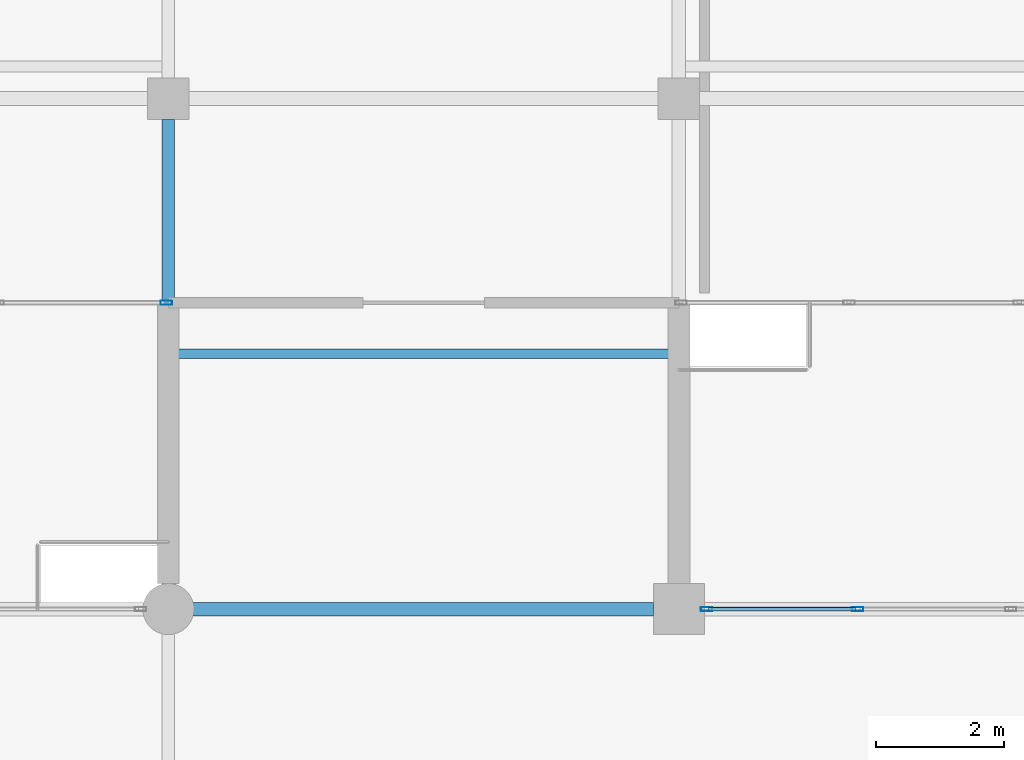
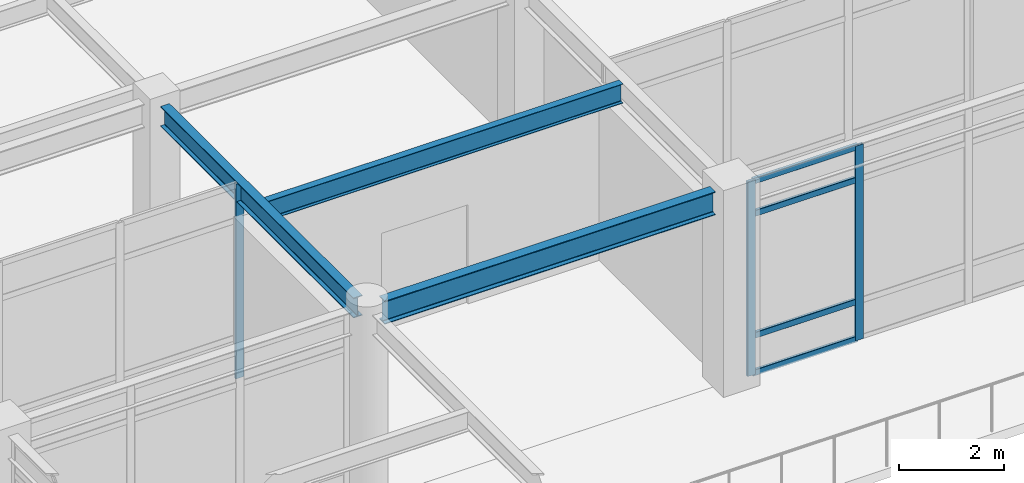
# One storey, part 53 of 117: 7 members, 3 beams, 2 elements without a shape of their own.
"""IFC4 building model written with IfcOpenShell, lengths in metres."""

from ifc_helpers import new_model, si_unit, direction, frame, origin, origin_2d, place, context, subcontext, project, spatial, hollow_rectangle, i_section, extrude, material, material_profile, profile_set, type_object, element, aggregate, save


model = new_model("IFC4")

# Units and contexts
model_context = context("Model", 3, precision=1e-05, world=origin(), true_north=direction((0.0, 1.0)))
body_context = subcontext(model_context, "Body", "Model", "MODEL_VIEW")
ifc_project = project(units=[si_unit("LENGTHUNIT", "METRE"), si_unit("AREAUNIT", "SQUARE_METRE"), si_unit("VOLUMEUNIT", "CUBIC_METRE"), si_unit("PLANEANGLEUNIT", "RADIAN"), si_unit("MASSUNIT", "GRAM", prefix="KILO")], contexts=[model_context])

# Site, building, storey
site_placement = place(None, origin())
site = spatial("IfcSite", under=ifc_project, at=site_placement, CompositionType="ELEMENT")
building_placement = place(site_placement, origin())
building = spatial("IfcBuilding", under=site, at=building_placement, Name="Solmirada Galleria", CompositionType="ELEMENT")
storey_placement = place(building_placement, frame((0.0, 0.0, 5.60009765625)))
storey = spatial("IfcBuildingStorey", under=building, at=storey_placement, Name="L01", CompositionType="ELEMENT", Elevation=5.60009765625)

# Beams
ifc_material_1 = material(Name="Steel S355 / ASTM A992 Grade 50", Category="steel")
ifc_material_profile_1 = material_profile(ifc_material_1, i_section(OverallWidth=0.194091796875, OverallDepth=0.468994140625, WebThickness=0.0126953125, FlangeThickness=0.0205078125, FilletRadius=0.013916015625, at=origin_2d()), Name="W18X71")
ifc_profile_set_1 = profile_set([ifc_material_profile_1], Name="Steel S355 / ASTM A992 Grade 50")
beam_type_1 = type_object("IfcBeamType", Name="BM-GIRD-W18B", PredefinedType="BEAM", material=ifc_profile_set_1)
beam_1_placement = place(storey_placement, frame((88.0, 72.3359375, 4.325439453125), z_axis=(0.0, 1.0, 0.0), x_axis=(-1.0, 0.0, 0.0)))
element("IfcBeam", 1, at=beam_1_placement, inside=storey, type_object=beam_type_1, Name="Primary girder L02 Y(88, 72..80)", PredefinedType="BEAM", context=body_context, shape_type="SweptSolid", body=[
    extrude(i_section(OverallWidth=0.194091796875, OverallDepth=0.468994140625, WebThickness=0.0126953125, FlangeThickness=0.0205078125, FilletRadius=0.013916015625, at=origin_2d()), origin(), (0.0, 0.0, 1.0), 7.339111328125),
])
ifc_material_profile_2 = material_profile(ifc_material_1, i_section(OverallWidth=0.2099609375, OverallDepth=0.537109375, WebThickness=0.010986328125, FlangeThickness=0.017333984375, FilletRadius=0.014892578125, at=origin_2d()), Name="W21X68")
ifc_profile_set_2 = profile_set([ifc_material_profile_2], Name="Steel S355 / ASTM A992 Grade 50")
beam_type_2 = type_object("IfcBeamType", Name="BM-GIRD-W21B", PredefinedType="BEAM", material=ifc_profile_set_2)
beam_2_placement = place(storey_placement, frame((88.3359375, 72.0, 4.331298828125), z_axis=(1.0, 0.0, 0.0), x_axis=(0.0, 1.0, 0.0)))
element("IfcBeam", 2, at=beam_2_placement, inside=storey, type_object=beam_type_2, Name="Primary beam L02 X(88..96, 72)", PredefinedType="BEAM", context=body_context, shape_type="SweptSolid", body=[
    extrude(i_section(OverallWidth=0.2099609375, OverallDepth=0.537109375, WebThickness=0.010986328125, FlangeThickness=0.017333984375, FilletRadius=0.014892578125, at=origin_2d()), origin(), (0.0, 0.0, 1.0), 7.26416015625),
])
ifc_material_profile_3 = material_profile(ifc_material_1, i_section(OverallWidth=0.152099609375, OverallDepth=0.449951171875, WebThickness=0.007568359375, FlangeThickness=0.0107421875, FilletRadius=0.011962890625, at=origin_2d()), Name="W18X35")
ifc_profile_set_3 = profile_set([ifc_material_profile_3], Name="Steel S355 / ASTM A992 Grade 50")
beam_type_3 = type_object("IfcBeamType", Name="BM-JST-W18B", PredefinedType="JOIST", material=ifc_profile_set_3)
beam_3_placement = place(storey_placement, frame((88.096923828125, 76.0, 4.3349609375), z_axis=(1.0, 0.0, 0.0), x_axis=(0.0, 1.0, 0.0)))
element("IfcBeam", 3, at=beam_3_placement, inside=storey, type_object=beam_type_3, Name="Composite floor joist L02 (88..96, 76.0)", PredefinedType="JOIST", context=body_context, shape_type="SweptSolid", body=[
    extrude(i_section(OverallWidth=0.152099609375, OverallDepth=0.449951171875, WebThickness=0.007568359375, FlangeThickness=0.0107421875, FilletRadius=0.011962890625, at=origin_2d()), origin(), (0.0, 0.0, 1.0), 7.798095703125),
])

# Curtain wall, member
ifc_material_2 = material(Name="Impact-resistant low-E double glazing", Category="glass")
curtain_wall_type_1 = type_object("IfcCurtainWallType", Name="CW-FZ4-L01-B3-L080", PredefinedType="NOTDEFINED", material=ifc_material_2)
curtain_wall_1_placement = place(storey_placement, origin())
curtain_wall_1 = element("IfcCurtainWall", 4, at=curtain_wall_1_placement, inside=storey, type_object=curtain_wall_type_1, Name="Terrace and arcade storefront CW-L01-048", PredefinedType="NOTDEFINED")
ifc_material_3 = material(Name="Anodised aluminium framing", Category="aluminium")
ifc_material_profile_4 = material_profile(ifc_material_3, hollow_rectangle(XDim=0.06494140625, YDim=0.179931640625, WallThickness=0.00390625, InnerFilletRadius=0.00390625, OuterFilletRadius=0.008056640625, at=origin_2d()), Name="ALU-MULL-180X65")
ifc_profile_set_4 = profile_set([ifc_material_profile_4], Name="Anodised aluminium framing")
member_type_1 = type_object("IfcMemberType", Name="CW-MULL-180", PredefinedType="MULLION", material=ifc_profile_set_4)
member_1_placement = place(storey_placement, frame((87.967529296875, 76.800048828125, 0.0), z_axis=(0.0, 0.0, 1.0), x_axis=(0.0, -1.0, 0.0)))
member_1 = element("IfcMember", 5, at=member_1_placement, type_object=member_type_1, Name="CW13 mullion 1", PredefinedType="MULLION", context=body_context, shape_type="SweptSolid", body=[
    extrude(hollow_rectangle(XDim=0.06494140625, YDim=0.179931640625, WallThickness=0.00390625, InnerFilletRadius=0.00390625, OuterFilletRadius=0.008056640625, at=origin_2d()), origin(), (0.0, 0.0, 1.0), 4.52001953125),
])
aggregate(curtain_wall_1, [member_1])

# Curtain wall, members
curtain_wall_type_2 = type_object("IfcCurtainWallType", Name="CW-FZ3-L01-B3-L072", PredefinedType="NOTDEFINED", material=ifc_material_2)
curtain_wall_2_placement = place(storey_placement, origin())
curtain_wall_2 = element("IfcCurtainWall", 6, at=curtain_wall_2_placement, inside=storey, type_object=curtain_wall_type_2, Name="Terrace and arcade storefront CW-L01-066", PredefinedType="NOTDEFINED")
member_2_placement = place(storey_placement, frame((96.4345703125, 72.0, 0.0), z_axis=(0.0, 0.0, 1.0), x_axis=(0.0, 1.0, 0.0)))
member_2 = element("IfcMember", 7, at=member_2_placement, type_object=member_type_1, Name="CW12 mullion 1", PredefinedType="MULLION", context=body_context, shape_type="SweptSolid", body=[
    extrude(hollow_rectangle(XDim=0.06494140625, YDim=0.179931640625, WallThickness=0.00390625, InnerFilletRadius=0.00390625, OuterFilletRadius=0.008056640625, at=origin_2d()), origin(), (0.0, 0.0, 1.0), 4.52001953125),
])
member_3_placement = place(storey_placement, frame((98.80078125, 72.0, 0.0), z_axis=(0.0, 0.0, 1.0), x_axis=(0.0, 1.0, 0.0)))
member_3 = element("IfcMember", 8, at=member_3_placement, type_object=member_type_1, Name="CW12 mullion 2", PredefinedType="MULLION", context=body_context, shape_type="SweptSolid", body=[
    extrude(hollow_rectangle(XDim=0.06494140625, YDim=0.179931640625, WallThickness=0.00390625, InnerFilletRadius=0.00390625, OuterFilletRadius=0.008056640625, at=origin_2d()), origin(), (0.0, 0.0, 1.0), 4.52001953125),
])
ifc_material_profile_5 = material_profile(ifc_material_3, hollow_rectangle(XDim=0.06494140625, YDim=0.139892578125, WallThickness=0.00341796875, InnerFilletRadius=0.00341796875, OuterFilletRadius=0.007080078125, at=origin_2d()), Name="ALU-TRAN-140X65")
ifc_profile_set_5 = profile_set([ifc_material_profile_5], Name="Anodised aluminium framing")
member_type_2 = type_object("IfcMemberType", Name="CW-TRAN-140", PredefinedType="USERDEFINED", material=ifc_profile_set_5)
member_4_placement = place(storey_placement, frame((96.467041015625, 72.0, 0.032470703125), z_axis=(1.0, 0.0, 0.0), x_axis=(0.0, 1.0, 0.0)))
member_4 = element("IfcMember", 9, at=member_4_placement, type_object=member_type_2, Name="CW12 transom 1.1", ObjectType="TRANSOM", PredefinedType="USERDEFINED", context=body_context, shape_type="SweptSolid", body=[
    extrude(hollow_rectangle(XDim=0.06494140625, YDim=0.139892578125, WallThickness=0.00341796875, InnerFilletRadius=0.00341796875, OuterFilletRadius=0.007080078125, at=origin_2d()), origin(), (0.0, 0.0, 1.0), 2.301025390625),
])
member_5_placement = place(storey_placement, frame((96.467041015625, 72.0, 0.89990234375), z_axis=(1.0, 0.0, 0.0), x_axis=(0.0, 1.0, 0.0)))
member_5 = element("IfcMember", 10, at=member_5_placement, type_object=member_type_2, Name="CW12 transom 1.2", ObjectType="TRANSOM", PredefinedType="USERDEFINED", context=body_context, shape_type="SweptSolid", body=[
    extrude(hollow_rectangle(XDim=0.06494140625, YDim=0.139892578125, WallThickness=0.00341796875, InnerFilletRadius=0.00341796875, OuterFilletRadius=0.007080078125, at=origin_2d()), origin(), (0.0, 0.0, 1.0), 2.301025390625),
])
member_6_placement = place(storey_placement, frame((96.467041015625, 72.0, 3.72998046875), z_axis=(1.0, 0.0, 0.0), x_axis=(0.0, 1.0, 0.0)))
member_6 = element("IfcMember", 11, at=member_6_placement, type_object=member_type_2, Name="CW12 transom 1.3", ObjectType="TRANSOM", PredefinedType="USERDEFINED", context=body_context, shape_type="SweptSolid", body=[
    extrude(hollow_rectangle(XDim=0.06494140625, YDim=0.139892578125, WallThickness=0.00341796875, InnerFilletRadius=0.00341796875, OuterFilletRadius=0.007080078125, at=origin_2d()), origin(), (0.0, 0.0, 1.0), 2.301025390625),
])
member_7_placement = place(storey_placement, frame((96.467041015625, 72.0, 4.4873046875), z_axis=(1.0, 0.0, 0.0), x_axis=(0.0, 1.0, 0.0)))
member_7 = element("IfcMember", 12, at=member_7_placement, type_object=member_type_2, Name="CW12 transom 1.4", ObjectType="TRANSOM", PredefinedType="USERDEFINED", context=body_context, shape_type="SweptSolid", body=[
    extrude(hollow_rectangle(XDim=0.06494140625, YDim=0.139892578125, WallThickness=0.00341796875, InnerFilletRadius=0.00341796875, OuterFilletRadius=0.007080078125, at=origin_2d()), origin(), (0.0, 0.0, 1.0), 2.301025390625),
])
aggregate(curtain_wall_2, [member_2, member_3, member_4, member_5, member_6, member_7])

save(model, "model.ifc")
